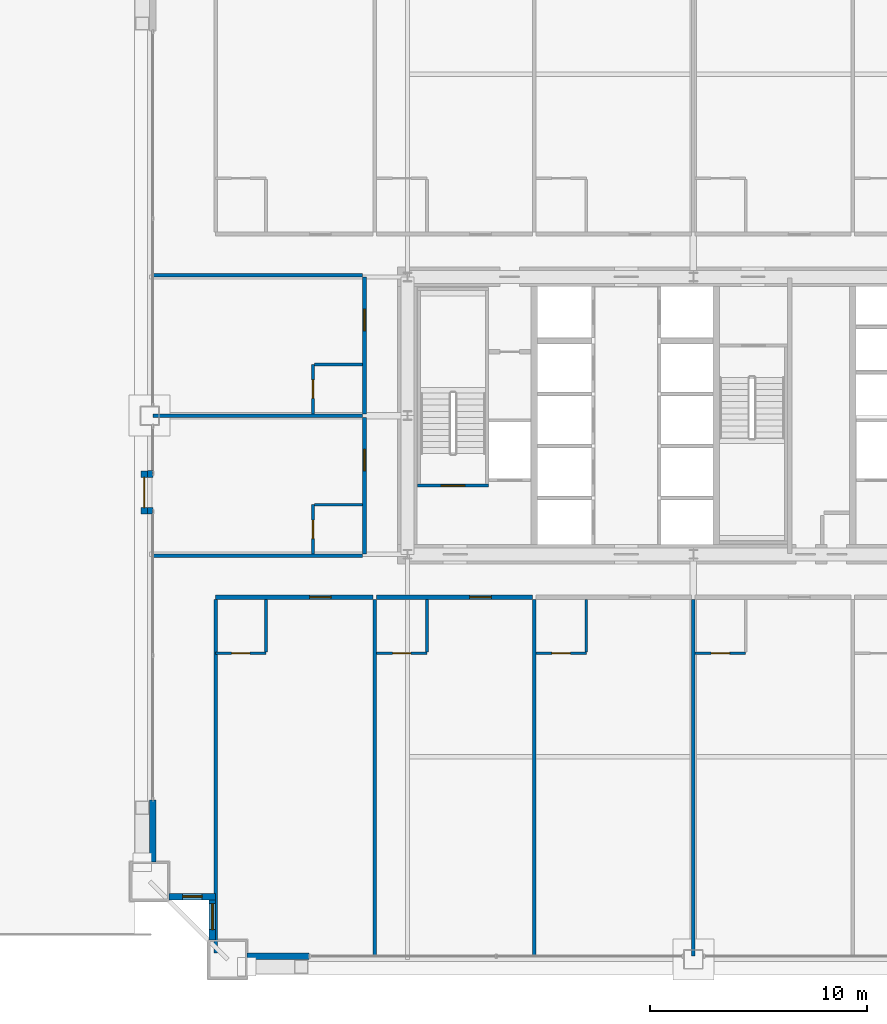
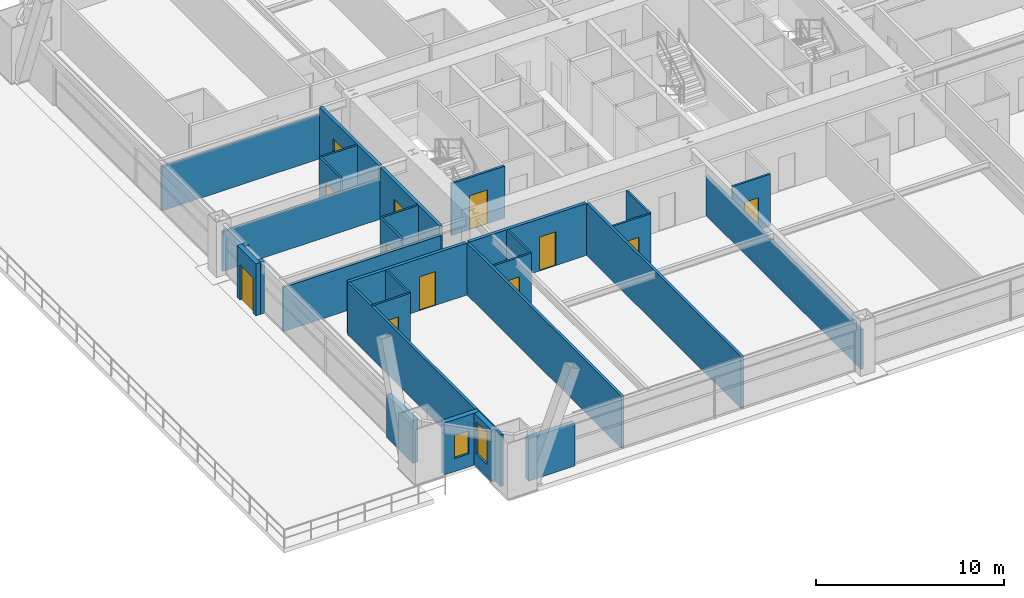
# One storey, part 38 of 45: 30 walls, 12 doors, 2 windows, 14 openings.
"""IFC4 building model written with IfcOpenShell, lengths in metres."""

from ifc_helpers import new_model, si_unit, direction, frame, frame_2d, origin, place, context, subcontext, project, spatial, rectangle, extrude, source, transform, mapped, material, layer, layer_set, type_object, element, fill, save


model = new_model("IFC4")

# Units and contexts
model_context = context("Model", 3, precision=1e-05, world=origin(), true_north=direction((0.0, 1.0)))
body_context = subcontext(model_context, "Body", "Model", "MODEL_VIEW")
ifc_project = project(units=[si_unit("LENGTHUNIT", "METRE"), si_unit("AREAUNIT", "SQUARE_METRE"), si_unit("VOLUMEUNIT", "CUBIC_METRE"), si_unit("PLANEANGLEUNIT", "RADIAN"), si_unit("MASSUNIT", "GRAM", prefix="KILO"), si_unit("THERMODYNAMICTEMPERATUREUNIT", "KELVIN"), si_unit("POWERUNIT", "WATT")], contexts=[model_context])

# Site, building, storey
site_placement = place(None, origin())
site = spatial("IfcSite", under=ifc_project, at=site_placement, CompositionType="ELEMENT")
building_placement = place(site_placement, origin())
building = spatial("IfcBuilding", under=site, at=building_placement, Name="Yuzanri Waterfront Tower", CompositionType="ELEMENT")
storey_placement = place(building_placement, frame((0.0, 0.0, 30.60009765625)))
storey = spatial("IfcBuildingStorey", under=building, at=storey_placement, Name="L07", CompositionType="ELEMENT", Elevation=30.60009765625)

# Wall, opening, door
ifc_material_1 = material(Name="Moisture-Resistant Gypsum Stud Wall", Category="gypsum")
ifc_layer_1 = layer(ifc_material_1, 0.1201171875)
ifc_layer_set_1 = layer_set([ifc_layer_1], Name="Moisture-Resistant Gypsum Stud Wall")
wall_type_1 = type_object("IfcWallType", Name="Bathroom and Kitchen Wet Partition 120", PredefinedType="PARTITIONING", material=ifc_layer_set_1)
wall_1_placement = place(storey_placement, frame((14.93994140625, 14.840087890625, 0.0), z_axis=(0.0, 0.0, 1.0), x_axis=(1.0, 0.0, 0.0)))
wall_1 = element("IfcWall", 1, at=wall_1_placement, inside=storey, type_object=wall_type_1, Name="L07 Partition UW-L07-S1-BS", PredefinedType="PARTITIONING", context=body_context, shape_type="SweptSolid", body=[
    extrude(rectangle(XDim=2.330078125, YDim=0.1201171875, at=frame_2d((1.1650390625, 0.0))), origin(), (0.0, 0.0, 1.0), 3.3798828125),
])
opening_1_placement = place(wall_1_placement, frame((0.739990234375, 0.0, 0.0)))
opening_1 = element("IfcOpeningElement", 2, at=opening_1_placement, cuts=wall_1, Name="Opening ID-0850", PredefinedType="OPENING", context=body_context, shape_type="SweptSolid", body=[
    extrude(rectangle(XDim=0.85009765625, YDim=2.10009765625, at=frame_2d((0.425048828125, 1.050048828125))), frame((0.0, 0.074951171875, 0.0), z_axis=(0.0, -1.0, 0.0), x_axis=(1.0, 0.0, 0.0)), (0.0, 0.0, 1.0), 0.14990234375),
])
ifc_material_2 = material(Name="Moisture-Resistant Lacquered Timber", Category="wood")
door_type_1 = type_object("IfcDoorType", Name="En-Suite Bathroom and Kitchen Swing Door 850x2100", OperationType="NOTDEFINED", PredefinedType="DOOR", material=ifc_material_2)
shared_shape_1 = source(origin(), body_context, "Body", "SweptSolid", [
    extrude(rectangle(XDim=0.85009765625, YDim=2.10009765625, at=frame_2d((0.425048828125, 1.050048828125))), frame((0.0, 0.02490234375, 0.0), z_axis=(0.0, -1.0, 0.0), x_axis=(1.0, 0.0, 0.0)), (0.0, 0.0, 1.0), 0.050048828125),
])
door_1_placement = place(opening_1_placement, origin())
door_1 = element("IfcDoor", 3, at=door_1_placement, inside=storey, type_object=door_type_1, Name="L07 Guest En-Suite Door", OperationType="SINGLE_SWING_LEFT", OverallHeight=2.10009765625, OverallWidth=0.85009765625, PredefinedType="DOOR", context=body_context, shape_type="MappedRepresentation", body=[
    mapped(shared_shape_1, transform((0.0, 0.0, 0.0), scale=1.0)),
])
fill(opening_1, door_1)

wall_2_placement = place(storey_placement, frame((22.373046875, 14.840087890625, 0.0), z_axis=(0.0, 0.0, 1.0), x_axis=(1.0, 0.0, 0.0)))
wall_2 = element("IfcWall", 4, at=wall_2_placement, inside=storey, type_object=wall_type_1, Name="L07 Partition UW-L07-S2-BS", PredefinedType="PARTITIONING", context=body_context, shape_type="SweptSolid", body=[
    extrude(rectangle(XDim=2.329833984375, YDim=0.1201171875, at=frame_2d((1.1650390625, 0.0))), origin(), (0.0, 0.0, 1.0), 3.3798828125),
])
opening_2_placement = place(wall_2_placement, frame((0.739990234375, 0.0, 0.0)))
opening_2 = element("IfcOpeningElement", 5, at=opening_2_placement, cuts=wall_2, Name="Opening ID-0850", PredefinedType="OPENING", context=body_context, shape_type="SweptSolid", body=[
    extrude(rectangle(XDim=0.85009765625, YDim=2.10009765625, at=frame_2d((0.425048828125, 1.050048828125))), frame((0.0, 0.074951171875, 0.0), z_axis=(0.0, -1.0, 0.0), x_axis=(1.0, 0.0, 0.0)), (0.0, 0.0, 1.0), 0.14990234375),
])
door_2_placement = place(opening_2_placement, origin())
door_2 = element("IfcDoor", 6, at=door_2_placement, inside=storey, type_object=door_type_1, Name="L07 Guest En-Suite Door", OperationType="SINGLE_SWING_LEFT", OverallHeight=2.10009765625, OverallWidth=0.85009765625, PredefinedType="DOOR", context=body_context, shape_type="MappedRepresentation", body=[
    mapped(shared_shape_1, transform((0.0, 0.0, 0.0), scale=1.0)),
])
fill(opening_2, door_2)

wall_3_placement = place(storey_placement, frame((29.72705078125, 14.840087890625, 0.0), z_axis=(0.0, 0.0, 1.0), x_axis=(1.0, 0.0, 0.0)))
wall_3 = element("IfcWall", 7, at=wall_3_placement, inside=storey, type_object=wall_type_1, Name="L07 Partition UW-L07-S3-BS", PredefinedType="PARTITIONING", context=body_context, shape_type="SweptSolid", body=[
    extrude(rectangle(XDim=2.329833984375, YDim=0.1201171875, at=frame_2d((1.1650390625, 0.0))), origin(), (0.0, 0.0, 1.0), 3.3798828125),
])
opening_3_placement = place(wall_3_placement, frame((0.739990234375, 0.0, 0.0)))
opening_3 = element("IfcOpeningElement", 8, at=opening_3_placement, cuts=wall_3, Name="Opening ID-0850", PredefinedType="OPENING", context=body_context, shape_type="SweptSolid", body=[
    extrude(rectangle(XDim=0.85009765625, YDim=2.10009765625, at=frame_2d((0.425048828125, 1.050048828125))), frame((0.0, 0.074951171875, 0.0), z_axis=(0.0, -1.0, 0.0), x_axis=(1.0, 0.0, 0.0)), (0.0, 0.0, 1.0), 0.14990234375),
])
door_3_placement = place(opening_3_placement, origin())
door_3 = element("IfcDoor", 9, at=door_3_placement, inside=storey, type_object=door_type_1, Name="L07 Guest En-Suite Door", OperationType="SINGLE_SWING_LEFT", OverallHeight=2.10009765625, OverallWidth=0.85009765625, PredefinedType="DOOR", context=body_context, shape_type="MappedRepresentation", body=[
    mapped(shared_shape_1, transform((0.0, 0.0, 0.0), scale=1.0)),
])
fill(opening_3, door_3)

wall_4_placement = place(storey_placement, frame((37.080078125, 14.840087890625, 0.0), z_axis=(0.0, 0.0, 1.0), x_axis=(1.0, 0.0, 0.0)))
wall_4 = element("IfcWall", 10, at=wall_4_placement, inside=storey, type_object=wall_type_1, Name="L07 Partition UW-L07-S4-BS", PredefinedType="PARTITIONING", context=body_context, shape_type="SweptSolid", body=[
    extrude(rectangle(XDim=2.329833984375, YDim=0.1201171875, at=frame_2d((1.1650390625, 0.0))), origin(), (0.0, 0.0, 1.0), 3.3798828125),
])
opening_4_placement = place(wall_4_placement, frame((0.739990234375, 0.0, 0.0)))
opening_4 = element("IfcOpeningElement", 11, at=opening_4_placement, cuts=wall_4, Name="Opening ID-0850", PredefinedType="OPENING", context=body_context, shape_type="SweptSolid", body=[
    extrude(rectangle(XDim=0.85009765625, YDim=2.10009765625, at=frame_2d((0.425048828125, 1.050048828125))), frame((0.0, 0.074951171875, 0.0), z_axis=(0.0, -1.0, 0.0), x_axis=(1.0, 0.0, 0.0)), (0.0, 0.0, 1.0), 0.14990234375),
])
door_4_placement = place(opening_4_placement, origin())
door_4 = element("IfcDoor", 12, at=door_4_placement, inside=storey, type_object=door_type_1, Name="L07 Guest En-Suite Door", OperationType="SINGLE_SWING_LEFT", OverallHeight=2.10009765625, OverallWidth=0.85009765625, PredefinedType="DOOR", context=body_context, shape_type="MappedRepresentation", body=[
    mapped(shared_shape_1, transform((0.0, 0.0, 0.0), scale=1.0)),
])
fill(opening_4, door_4)

wall_5_placement = place(storey_placement, frame((19.43994140625, 19.409912109375, 0.0), z_axis=(0.0, 0.0, 1.0), x_axis=(0.0, 1.0, 0.0)))
wall_5 = element("IfcWall", 13, at=wall_5_placement, inside=storey, type_object=wall_type_1, Name="L07 Partition UW-L07-W1-BW", PredefinedType="PARTITIONING", context=body_context, shape_type="SweptSolid", body=[
    extrude(rectangle(XDim=2.280029296875, YDim=0.1201171875, at=frame_2d((1.14013671875, 0.0))), origin(), (0.0, 0.0, 1.0), 3.3798828125),
])
opening_5_placement = place(wall_5_placement, frame((0.715087890625, 0.0, 0.0)))
opening_5 = element("IfcOpeningElement", 14, at=opening_5_placement, cuts=wall_5, Name="Opening ID-0850", PredefinedType="OPENING", context=body_context, shape_type="SweptSolid", body=[
    extrude(rectangle(XDim=0.85009765625, YDim=2.10009765625, at=frame_2d((0.425048828125, 1.050048828125))), frame((0.0, 0.074951171875, 0.0), z_axis=(0.0, -1.0, 0.0), x_axis=(1.0, 0.0, 0.0)), (0.0, 0.0, 1.0), 0.14990234375),
])
door_5_placement = place(opening_5_placement, origin())
door_5 = element("IfcDoor", 15, at=door_5_placement, inside=storey, type_object=door_type_1, Name="L07 Guest En-Suite Door", OperationType="SINGLE_SWING_LEFT", OverallHeight=2.10009765625, OverallWidth=0.85009765625, PredefinedType="DOOR", context=body_context, shape_type="MappedRepresentation", body=[
    mapped(shared_shape_1, transform((0.0, 0.0, 0.0), scale=1.0)),
])
fill(opening_5, door_5)

wall_6_placement = place(storey_placement, frame((19.43994140625, 25.8798828125, 0.0), z_axis=(0.0, 0.0, 1.0), x_axis=(0.0, 1.0, 0.0)))
wall_6 = element("IfcWall", 16, at=wall_6_placement, inside=storey, type_object=wall_type_1, Name="L07 Partition UW-L07-W2-BW", PredefinedType="PARTITIONING", context=body_context, shape_type="SweptSolid", body=[
    extrude(rectangle(XDim=2.280029296875, YDim=0.1201171875, at=frame_2d((1.14013671875, 0.0))), origin(), (0.0, 0.0, 1.0), 3.3798828125),
])
opening_6_placement = place(wall_6_placement, frame((0.715087890625, 0.0, 0.0)))
opening_6 = element("IfcOpeningElement", 17, at=opening_6_placement, cuts=wall_6, Name="Opening ID-0850", PredefinedType="OPENING", context=body_context, shape_type="SweptSolid", body=[
    extrude(rectangle(XDim=0.85009765625, YDim=2.10009765625, at=frame_2d((0.425048828125, 1.050048828125))), frame((0.0, 0.074951171875, 0.0), z_axis=(0.0, -1.0, 0.0), x_axis=(1.0, 0.0, 0.0)), (0.0, 0.0, 1.0), 0.14990234375),
])
door_6_placement = place(opening_6_placement, origin())
door_6 = element("IfcDoor", 18, at=door_6_placement, inside=storey, type_object=door_type_1, Name="L07 Guest En-Suite Door", OperationType="SINGLE_SWING_LEFT", OverallHeight=2.10009765625, OverallWidth=0.85009765625, PredefinedType="DOOR", context=body_context, shape_type="MappedRepresentation", body=[
    mapped(shared_shape_1, transform((0.0, 0.0, 0.0), scale=1.0)),
])
fill(opening_6, door_6)

# Wall, opening, window
ifc_material_3 = material(Name="Honed Chongqing Dark Basalt Stone", Category="masonry")
ifc_layer_2 = layer(ifc_material_3, 0.300048828125)
ifc_layer_set_2 = layer_set([ifc_layer_2], Name="Honed Chongqing Dark Basalt Stone")
wall_type_2 = type_object("IfcWallType", Name="Bronze Rainscreen Insulated Spandrel Portal Wall 300", PredefinedType="SOLIDWALL", material=ifc_layer_set_2)
wall_7_placement = place(storey_placement, frame((12.800048828125, 3.60009765625, 0.0), z_axis=(0.0, 0.0, 1.0), x_axis=(1.0, 0.0, 0.0)))
wall_7 = element("IfcWall", 19, at=wall_7_placement, inside=storey, type_object=wall_type_2, Name="L07 Notched Corner Masonry Wall SW-X", PredefinedType="SOLIDWALL", context=body_context, shape_type="SweptSolid", body=[
    extrude(rectangle(XDim=2.14990234375, YDim=0.300048828125, at=frame_2d((1.074951171875, 0.0))), origin(), (0.0, 0.0, 1.0), 3.3798828125),
])
opening_7_placement = place(wall_7_placement, frame((0.625, 0.0, 0.85009765625)))
opening_7 = element("IfcOpeningElement", 20, at=opening_7_placement, cuts=wall_7, Name="Opening WN-05", PredefinedType="OPENING", context=body_context, shape_type="SweptSolid", body=[
    extrude(rectangle(XDim=0.89990234375, YDim=1.5, at=frame_2d((0.449951171875, 0.75))), frame((0.0, 0.1650390625, 0.0), z_axis=(0.0, -1.0, 0.0), x_axis=(1.0, 0.0, 0.0)), (0.0, 0.0, 1.0), 0.329833984375),
])
ifc_material_4 = material(Name="Double-Silver Low-E Insulated Glass", Category="glass")
window_type_1 = type_object("IfcWindowType", Name="Anodized Bronze Service and Stairwell Smoke-Vent Window 900x1500", PartitioningType="SINGLE_PANEL", PredefinedType="WINDOW", material=ifc_material_4)
shared_shape_2 = source(origin(), body_context, "Body", "SweptSolid", [
    extrude(rectangle(XDim=0.89990234375, YDim=1.5, at=frame_2d((0.449951171875, 0.75))), frame((0.0, 0.030029296875, 0.0), z_axis=(0.0, -1.0, 0.0), x_axis=(1.0, 0.0, 0.0)), (0.0, 0.0, 1.0), 0.06005859375),
])
window_1_placement = place(opening_7_placement, origin())
window_1 = element("IfcWindow", 21, at=window_1_placement, inside=storey, type_object=window_type_1, Name="L07 Notched Corner Window SW-X", OverallHeight=1.5, OverallWidth=0.89990234375, PartitioningType="SINGLE_PANEL", PredefinedType="WINDOW", context=body_context, shape_type="MappedRepresentation", body=[
    mapped(shared_shape_2, transform((0.0, 0.0, 0.0), scale=1.0)),
])
fill(opening_7, window_1)

wall_8_placement = place(storey_placement, frame((14.800048828125, 3.75, 0.0), z_axis=(0.0, 0.0, 1.0), x_axis=(0.0, -1.0, 0.0)))
wall_8 = element("IfcWall", 22, at=wall_8_placement, inside=storey, type_object=wall_type_2, Name="L07 Notched Corner Masonry Wall SW-Y", PredefinedType="SOLIDWALL", context=body_context, shape_type="SweptSolid", body=[
    extrude(rectangle(XDim=2.14990234375, YDim=0.300048828125, at=frame_2d((1.074951171875, 0.0))), origin(), (0.0, 0.0, 1.0), 3.3798828125),
])
opening_8_placement = place(wall_8_placement, frame((0.47509765625, 0.0, 0.85009765625)))
opening_8 = element("IfcOpeningElement", 23, at=opening_8_placement, cuts=wall_8, Name="Opening WN-02", PredefinedType="OPENING", context=body_context, shape_type="SweptSolid", body=[
    extrude(rectangle(XDim=1.199951171875, YDim=2.10009765625, at=frame_2d((0.60009765625, 1.050048828125))), frame((0.0, 0.1650390625, 0.0), z_axis=(0.0, -1.0, 0.0), x_axis=(1.0, 0.0, 0.0)), (0.0, 0.0, 1.0), 0.329833984375),
])
ifc_material_5 = material(Name="Double-Silver Low-E Insulated Glass", Category="glass")
window_type_2 = type_object("IfcWindowType", Name="Anodized Bronze Notched Corner Deep-Set Slot Window 1200x2100", PartitioningType="SINGLE_PANEL", PredefinedType="WINDOW", material=ifc_material_5)
shared_shape_3 = source(origin(), body_context, "Body", "SweptSolid", [
    extrude(rectangle(XDim=1.199951171875, YDim=2.10009765625, at=frame_2d((0.60009765625, 1.050048828125))), frame((0.0, 0.030029296875, 0.0), z_axis=(0.0, -1.0, 0.0), x_axis=(1.0, 0.0, 0.0)), (0.0, 0.0, 1.0), 0.06005859375),
])
window_2_placement = place(opening_8_placement, origin())
window_2 = element("IfcWindow", 24, at=window_2_placement, inside=storey, type_object=window_type_2, Name="L07 Notched Corner Window SW-Y", OverallHeight=2.10009765625, OverallWidth=1.199951171875, PartitioningType="SINGLE_PANEL", PredefinedType="WINDOW", context=body_context, shape_type="MappedRepresentation", body=[
    mapped(shared_shape_3, transform((0.0, 0.0, 0.0), scale=1.0)),
])
fill(opening_8, window_2)

# Wall, opening, door
wall_9_placement = place(storey_placement, frame((11.64990234375, 21.2548828125, 0.0), z_axis=(0.0, 0.0, 1.0), x_axis=(0.0, 1.0, 0.0)))
wall_9 = element("IfcWall", 25, at=wall_9_placement, inside=storey, type_object=wall_type_2, Name="L07 W Terrace Door Portal Wall", PredefinedType="SOLIDWALL", context=body_context, shape_type="SweptSolid", body=[
    extrude(rectangle(XDim=2.0, YDim=0.300048828125, at=frame_2d((1.0, 0.0))), origin(), (0.0, 0.0, 1.0), 3.3798828125),
])
opening_9_placement = place(wall_9_placement, frame((0.300048828125, 0.0, 0.0)))
opening_9 = element("IfcOpeningElement", 26, at=opening_9_placement, cuts=wall_9, Name="Opening TD-1400", PredefinedType="OPENING", context=body_context, shape_type="SweptSolid", body=[
    extrude(rectangle(XDim=1.39990234375, YDim=2.300048828125, at=frame_2d((0.699951171875, 1.14990234375))), frame((0.0, 0.1650390625, 0.0), z_axis=(0.0, -1.0, 0.0), x_axis=(1.0, 0.0, 0.0)), (0.0, 0.0, 1.0), 0.329833984375),
])
ifc_material_6 = material(Name="Anodized Architectural Bronze", Category="metal")
door_type_2 = type_object("IfcDoorType", Name="Anodized Bronze Balcony and Terrace Glazed Double Door 1400x2300", OperationType="NOTDEFINED", PredefinedType="DOOR", material=ifc_material_6)
shared_shape_4 = source(origin(), body_context, "Body", "SweptSolid", [
    extrude(rectangle(XDim=1.39990234375, YDim=2.300048828125, at=frame_2d((0.699951171875, 1.14990234375))), frame((0.0, 0.02490234375, 0.0), z_axis=(0.0, -1.0, 0.0), x_axis=(1.0, 0.0, 0.0)), (0.0, 0.0, 1.0), 0.050048828125),
])
door_7_placement = place(opening_9_placement, origin())
door_7 = element("IfcDoor", 27, at=door_7_placement, inside=storey, type_object=door_type_2, Name="L07 W Terrace Glazed Double Door", OperationType="DOUBLE_DOOR_SINGLE_SWING", OverallHeight=2.300048828125, OverallWidth=1.39990234375, PredefinedType="DOOR", context=body_context, shape_type="MappedRepresentation", body=[
    mapped(shared_shape_4, transform((0.0, 0.0, 0.0), scale=1.0)),
])
fill(opening_9, door_7)

ifc_material_7 = material(Name="Concrete C40", Category="concrete")
ifc_layer_3 = layer(ifc_material_7, 0.139892578125)
ifc_layer_set_3 = layer_set([ifc_layer_3], Name="Concrete C40")
wall_type_3 = type_object("IfcWallType", Name="Core Stair Liner and Hoistway Shaft Wall 140", PredefinedType="SOLIDWALL", material=ifc_layer_set_3)
wall_10_placement = place(storey_placement, frame((24.260009765625, 22.570068359375, 0.0), z_axis=(0.0, 0.0, 1.0), x_axis=(1.0, 0.0, 0.0)))
wall_10 = element("IfcWall", 28, at=wall_10_placement, inside=storey, type_object=wall_type_3, Name="L07 Shaft Wall STW-L07-ST-01-S", PredefinedType="SOLIDWALL", context=body_context, shape_type="SweptSolid", body=[
    extrude(rectangle(XDim=3.280029296875, YDim=0.139892578125, at=frame_2d((1.64013671875, 0.0))), origin(), (0.0, 0.0, 1.0), 3.3798828125),
])
opening_10_placement = place(wall_10_placement, frame((1.090087890625, 0.0, 0.0)))
opening_10 = element("IfcOpeningElement", 29, at=opening_10_placement, cuts=wall_10, Name="Opening FD-1100", PredefinedType="OPENING", context=body_context, shape_type="SweptSolid", body=[
    extrude(rectangle(XDim=1.10009765625, YDim=2.199951171875, at=frame_2d((0.550048828125, 1.10009765625))), frame((0.0, 0.0849609375, 0.0), z_axis=(0.0, -1.0, 0.0), x_axis=(1.0, 0.0, 0.0)), (0.0, 0.0, 1.0), 0.169677734375),
])
ifc_material_8 = material(Name="Painted Galvanized Fire Steel", Category="steel")
door_type_3 = type_object("IfcDoorType", Name="Smoke-Proof Stair and Lobby Fire Door 1100x2200", OperationType="NOTDEFINED", PredefinedType="DOOR", material=ifc_material_8)
shared_shape_5 = source(origin(), body_context, "Body", "SweptSolid", [
    extrude(rectangle(XDim=1.10009765625, YDim=2.199951171875, at=frame_2d((0.550048828125, 1.10009765625))), frame((0.0, 0.02490234375, 0.0), z_axis=(0.0, -1.0, 0.0), x_axis=(1.0, 0.0, 0.0)), (0.0, 0.0, 1.0), 0.050048828125),
])
door_8_placement = place(opening_10_placement, origin())
door_8 = element("IfcDoor", 30, at=door_8_placement, inside=storey, type_object=door_type_3, Name="L07 Stair ST-01 Fire Door", OperationType="SINGLE_SWING_RIGHT", OverallHeight=2.199951171875, OverallWidth=1.10009765625, PredefinedType="DOOR", context=body_context, shape_type="MappedRepresentation", body=[
    mapped(shared_shape_5, transform((0.0, 0.0, 0.0), scale=1.0)),
])
fill(opening_10, door_8)

ifc_material_9 = material(Name="Autoclaved Aerated Concrete Blockwork", Category="masonry")
ifc_layer_4 = layer(ifc_material_9, 0.199951171875)
ifc_layer_set_4 = layer_set([ifc_layer_4], Name="Autoclaved Aerated Concrete Blockwork")
wall_type_4 = type_object("IfcWallType", Name="Corridor and Unit Party Fire Wall 200", PredefinedType="PARTITIONING", material=ifc_layer_set_4)
wall_11_placement = place(storey_placement, frame((14.93994140625, 17.419921875, 0.0), z_axis=(0.0, 0.0, 1.0), x_axis=(1.0, 0.0, 0.0)))
wall_11 = element("IfcWall", 31, at=wall_11_placement, inside=storey, type_object=wall_type_4, Name="L07 Partition UW-L07-S1-CN", PredefinedType="PARTITIONING", context=body_context, shape_type="SweptSolid", body=[
    extrude(rectangle(XDim=7.27294921875, YDim=0.199951171875, at=frame_2d((3.636474609375, 0.0))), origin(), (0.0, 0.0, 1.0), 3.3798828125),
])
opening_11_placement = place(wall_11_placement, frame((4.342041015625, 0.0, 0.0)))
opening_11 = element("IfcOpeningElement", 32, at=opening_11_placement, cuts=wall_11, Name="Opening FD-1000", PredefinedType="OPENING", context=body_context, shape_type="SweptSolid", body=[
    extrude(rectangle(XDim=1.0, YDim=2.199951171875, at=frame_2d((0.5, 1.10009765625))), frame((0.0, 0.11474609375, 0.0), z_axis=(0.0, -1.0, 0.0), x_axis=(1.0, 0.0, 0.0)), (0.0, 0.0, 1.0), 0.229736328125),
])
ifc_material_10 = material(Name="Engineered Oak Fire-Rated Timber", Category="wood")
door_type_4 = type_object("IfcDoorType", Name="Guestroom and Apartment Entrance Fire Door 1000x2200", OperationType="NOTDEFINED", PredefinedType="DOOR", material=ifc_material_10)
shared_shape_6 = source(origin(), body_context, "Body", "SweptSolid", [
    extrude(rectangle(XDim=1.0, YDim=2.199951171875, at=frame_2d((0.5, 1.10009765625))), frame((0.0, 0.02490234375, 0.0), z_axis=(0.0, -1.0, 0.0), x_axis=(1.0, 0.0, 0.0)), (0.0, 0.0, 1.0), 0.050048828125),
])
door_9_placement = place(opening_11_placement, origin())
door_9 = element("IfcDoor", 33, at=door_9_placement, inside=storey, type_object=door_type_4, Name="L07 Premier King Junior Suite Entrance Door", OperationType="SINGLE_SWING_RIGHT", OverallHeight=2.199951171875, OverallWidth=1.0, PredefinedType="DOOR", context=body_context, shape_type="MappedRepresentation", body=[
    mapped(shared_shape_6, transform((0.0, 0.0, 0.0), scale=1.0)),
])
fill(opening_11, door_9)

wall_12_placement = place(storey_placement, frame((22.373046875, 17.419921875, 0.0), z_axis=(0.0, 0.0, 1.0), x_axis=(1.0, 0.0, 0.0)))
wall_12 = element("IfcWall", 34, at=wall_12_placement, inside=storey, type_object=wall_type_4, Name="L07 Partition UW-L07-S2-CN", PredefinedType="PARTITIONING", context=body_context, shape_type="SweptSolid", body=[
    extrude(rectangle(XDim=7.19384765625, YDim=0.199951171875, at=frame_2d((3.596923828125, 0.0))), origin(), (0.0, 0.0, 1.0), 3.3798828125),
])
opening_12_placement = place(wall_12_placement, frame((4.302001953125, 0.0, 0.0)))
opening_12 = element("IfcOpeningElement", 35, at=opening_12_placement, cuts=wall_12, Name="Opening FD-1000", PredefinedType="OPENING", context=body_context, shape_type="SweptSolid", body=[
    extrude(rectangle(XDim=1.0, YDim=2.199951171875, at=frame_2d((0.5, 1.10009765625))), frame((0.0, 0.11474609375, 0.0), z_axis=(0.0, -1.0, 0.0), x_axis=(1.0, 0.0, 0.0)), (0.0, 0.0, 1.0), 0.229736328125),
])
door_10_placement = place(opening_12_placement, origin())
door_10 = element("IfcDoor", 36, at=door_10_placement, inside=storey, type_object=door_type_4, Name="L07 Premier King Junior Suite Entrance Door", OperationType="SINGLE_SWING_RIGHT", OverallHeight=2.199951171875, OverallWidth=1.0, PredefinedType="DOOR", context=body_context, shape_type="MappedRepresentation", body=[
    mapped(shared_shape_6, transform((0.0, 0.0, 0.0), scale=1.0)),
])
fill(opening_12, door_10)

wall_13_placement = place(storey_placement, frame((21.820068359375, 19.409912109375, 0.0), z_axis=(0.0, 0.0, 1.0), x_axis=(0.0, 1.0, 0.0)))
wall_13 = element("IfcWall", 37, at=wall_13_placement, inside=storey, type_object=wall_type_4, Name="L07 Partition UW-L07-W1-CW", PredefinedType="PARTITIONING", context=body_context, shape_type="SweptSolid", body=[
    extrude(rectangle(XDim=6.31005859375, YDim=0.199951171875, at=frame_2d((3.155029296875, 0.0))), origin(), (0.0, 0.0, 1.0), 3.3798828125),
])
opening_13_placement = place(wall_13_placement, frame((3.8349609375, 0.0, 0.0)))
opening_13 = element("IfcOpeningElement", 38, at=opening_13_placement, cuts=wall_13, Name="Opening FD-1000", PredefinedType="OPENING", context=body_context, shape_type="SweptSolid", body=[
    extrude(rectangle(XDim=1.0, YDim=2.199951171875, at=frame_2d((0.5, 1.10009765625))), frame((0.0, 0.11474609375, 0.0), z_axis=(0.0, -1.0, 0.0), x_axis=(1.0, 0.0, 0.0)), (0.0, 0.0, 1.0), 0.229736328125),
])
door_11_placement = place(opening_13_placement, origin())
door_11 = element("IfcDoor", 39, at=door_11_placement, inside=storey, type_object=door_type_4, Name="L07 West Guest Room Entrance Door", OperationType="SINGLE_SWING_RIGHT", OverallHeight=2.199951171875, OverallWidth=1.0, PredefinedType="DOOR", context=body_context, shape_type="MappedRepresentation", body=[
    mapped(shared_shape_6, transform((0.0, 0.0, 0.0), scale=1.0)),
])
fill(opening_13, door_11)

wall_14_placement = place(storey_placement, frame((21.820068359375, 25.8798828125, 0.0), z_axis=(0.0, 0.0, 1.0), x_axis=(0.0, 1.0, 0.0)))
wall_14 = element("IfcWall", 40, at=wall_14_placement, inside=storey, type_object=wall_type_4, Name="L07 Partition UW-L07-W2-CW", PredefinedType="PARTITIONING", context=body_context, shape_type="SweptSolid", body=[
    extrude(rectangle(XDim=6.31005859375, YDim=0.199951171875, at=frame_2d((3.155029296875, 0.0))), origin(), (0.0, 0.0, 1.0), 3.3798828125),
])
opening_14_placement = place(wall_14_placement, frame((3.8349609375, 0.0, 0.0)))
opening_14 = element("IfcOpeningElement", 41, at=opening_14_placement, cuts=wall_14, Name="Opening FD-1000", PredefinedType="OPENING", context=body_context, shape_type="SweptSolid", body=[
    extrude(rectangle(XDim=1.0, YDim=2.199951171875, at=frame_2d((0.5, 1.10009765625))), frame((0.0, 0.11474609375, 0.0), z_axis=(0.0, -1.0, 0.0), x_axis=(1.0, 0.0, 0.0)), (0.0, 0.0, 1.0), 0.229736328125),
])
door_12_placement = place(opening_14_placement, origin())
door_12 = element("IfcDoor", 42, at=door_12_placement, inside=storey, type_object=door_type_4, Name="L07 West Guest Room Entrance Door", OperationType="SINGLE_SWING_RIGHT", OverallHeight=2.199951171875, OverallWidth=1.0, PredefinedType="DOOR", context=body_context, shape_type="MappedRepresentation", body=[
    mapped(shared_shape_6, transform((0.0, 0.0, 0.0), scale=1.0)),
])
fill(opening_14, door_12)

# Walls
shared_shape_7 = source(origin(), body_context, "Body", "SweptSolid", [
    extrude(rectangle(XDim=2.85009765625, YDim=0.300048828125, at=frame_2d((1.425048828125, 0.0))), origin(), (0.0, 0.0, 1.0), 2.77490234375),
])
for number, where, z_axis, x_axis, name in (
    (43, (16.39990234375, 0.85009765625, 0.0), (0.0, 0.0, 1.0), (1.0, 0.0, 0.0), "L07 S Left Braced Masonry Shoulder"),
    (44, (12.050048828125, 5.199951171875, 0.0), (0.0, 0.0, 1.0), (0.0, 1.0, 0.0), "L07 W Left Braced Masonry Shoulder"),
):
    element("IfcWall", number, at=place(storey_placement, frame(where, z_axis=z_axis, x_axis=x_axis)), inside=storey, type_object=wall_type_2, Name=name, PredefinedType="SOLIDWALL", context=body_context, shape_type="MappedRepresentation", body=[
        mapped(shared_shape_7, transform((0.0, 0.0, 0.0), scale=1.0)),
    ])
shared_shape_8 = source(origin(), body_context, "Body", "SweptSolid", [
    extrude(rectangle(XDim=0.25, YDim=0.300048828125, at=frame_2d((0.125, 0.0))), origin(), (0.0, 0.0, 1.0), 3.3798828125),
])
for number, where, z_axis, x_axis, name in (
    (45, (12.050048828125, 21.405029296875, 0.0), (0.0, 0.0, 1.0), (-1.0, 0.0, 0.0), "L07 W Terrace Portal Left Return"),
    (46, (11.800048828125, 23.10498046875, 0.0), (0.0, 0.0, 1.0), (1.0, 0.0, 0.0), "L07 W Terrace Portal Right Return"),
):
    element("IfcWall", number, at=place(storey_placement, frame(where, z_axis=z_axis, x_axis=x_axis)), inside=storey, type_object=wall_type_2, Name=name, PredefinedType="SOLIDWALL", context=body_context, shape_type="MappedRepresentation", body=[
        mapped(shared_shape_8, transform((0.0, 0.0, 0.0), scale=1.0)),
    ])
ifc_material_11 = material(Name="Gypsum Fireboard Acoustic Stud Wall", Category="gypsum")
ifc_layer_5 = layer(ifc_material_11, 0.159912109375)
ifc_layer_set_5 = layer_set([ifc_layer_5], Name="Gypsum Fireboard Acoustic Stud Wall")
wall_type_5 = type_object("IfcWallType", Name="Acoustic Suite Demising Partition 160", PredefinedType="PARTITIONING", material=ifc_layer_set_5)
shared_shape_9 = source(origin(), body_context, "Body", "SweptSolid", [
    extrude(rectangle(XDim=16.469970703125, YDim=0.159912109375, at=frame_2d((8.23486328125, 0.0))), origin(), (0.0, 0.0, 1.0), 3.3798828125),
])
for number, where, z_axis, x_axis, name in (
    (47, (22.29296875, 0.85009765625, 0.0), (0.0, 0.0, 1.0), (0.0, 1.0, 0.0), "L07-S1 Party Wall"),
    (48, (29.64697265625, 0.85009765625, 0.0), (0.0, 0.0, 1.0), (0.0, 1.0, 0.0), "L07-S2 Party Wall"),
):
    element("IfcWall", number, at=place(storey_placement, frame(where, z_axis=z_axis, x_axis=x_axis)), inside=storey, type_object=wall_type_5, Name=name, PredefinedType="PARTITIONING", context=body_context, shape_type="MappedRepresentation", body=[
        mapped(shared_shape_9, transform((0.0, 0.0, 0.0), scale=1.0)),
    ])
shared_shape_10 = source(origin(), body_context, "Body", "SweptSolid", [
    extrude(rectangle(XDim=2.420166015625, YDim=0.1201171875, at=frame_2d((1.2099609375, 0.0))), origin(), (0.0, 0.0, 1.0), 3.3798828125),
])
for number, where, z_axis, x_axis, name in (
    (49, (17.27001953125, 14.89990234375, 0.0), (0.0, 0.0, 1.0), (0.0, 1.0, 0.0), "L07-S1 En-Suite Side Wall"),
    (50, (24.702880859375, 14.89990234375, 0.0), (0.0, 0.0, 1.0), (0.0, 1.0, 0.0), "L07-S2 En-Suite Side Wall"),
    (51, (32.056884765625, 14.89990234375, 0.0), (0.0, 0.0, 1.0), (0.0, 1.0, 0.0), "L07-S3 En-Suite Side Wall"),
):
    element("IfcWall", number, at=place(storey_placement, frame(where, z_axis=z_axis, x_axis=x_axis)), inside=storey, type_object=wall_type_1, Name=name, PredefinedType="PARTITIONING", context=body_context, shape_type="MappedRepresentation", body=[
        mapped(shared_shape_10, transform((0.0, 0.0, 0.0), scale=1.0)),
    ])
shared_shape_11 = source(origin(), body_context, "Body", "SweptSolid", [
    extrude(rectangle(XDim=16.469970703125, YDim=0.159912109375, at=frame_2d((8.23486328125, 0.0))), origin(), (0.0, 0.0, 1.0), 2.574951171875),
])
wall_15_placement = place(storey_placement, frame((37.0, 0.85009765625, 0.0), z_axis=(0.0, 0.0, 1.0), x_axis=(0.0, 1.0, 0.0)))
element("IfcWall", 52, at=wall_15_placement, inside=storey, type_object=wall_type_5, Name="L07-S3 Party Wall", PredefinedType="PARTITIONING", context=body_context, shape_type="MappedRepresentation", body=[
    mapped(shared_shape_11, transform((0.0, 0.0, 0.0), scale=1.0)),
])
shared_shape_12 = source(origin(), body_context, "Body", "SweptSolid", [
    extrude(rectangle(XDim=16.320068359375, YDim=0.159912109375, at=frame_2d((8.16015625, 0.0))), origin(), (0.0, 0.0, 1.0), 3.3798828125),
])
wall_16_placement = place(storey_placement, frame((14.949951171875, 1.0, 0.0), z_axis=(0.0, 0.0, 1.0), x_axis=(0.0, 1.0, 0.0)))
element("IfcWall", 53, at=wall_16_placement, inside=storey, type_object=wall_type_5, Name="L07 South Band West End Wall", PredefinedType="PARTITIONING", context=body_context, shape_type="MappedRepresentation", body=[
    mapped(shared_shape_12, transform((0.0, 0.0, 0.0), scale=1.0)),
])
shared_shape_13 = source(origin(), body_context, "Body", "SweptSolid", [
    extrude(rectangle(XDim=9.669921875, YDim=0.159912109375, at=frame_2d((4.8349609375, 0.0))), origin(), (0.0, 0.0, 1.0), 2.574951171875),
])
wall_17_placement = place(storey_placement, frame((12.050048828125, 25.800048828125, 0.0), z_axis=(0.0, 0.0, 1.0), x_axis=(1.0, 0.0, 0.0)))
element("IfcWall", 54, at=wall_17_placement, inside=storey, type_object=wall_type_5, Name="L07-W1 Wing Party Wall", PredefinedType="PARTITIONING", context=body_context, shape_type="MappedRepresentation", body=[
    mapped(shared_shape_13, transform((0.0, 0.0, 0.0), scale=1.0)),
])
shared_shape_14 = source(origin(), body_context, "Body", "SweptSolid", [
    extrude(rectangle(XDim=9.669921875, YDim=0.159912109375, at=frame_2d((4.8349609375, 0.0))), origin(), (0.0, 0.0, 1.0), 2.875),
])
for number, where, z_axis, x_axis, name in (
    (55, (12.050048828125, 19.330078125, 0.0), (0.0, 0.0, 1.0), (1.0, 0.0, 0.0), "L07-W1 Wing South End Wall"),
    (56, (12.050048828125, 32.27001953125, 0.0), (0.0, 0.0, 1.0), (1.0, 0.0, 0.0), "L07-W2 Wing North End Wall"),
):
    element("IfcWall", number, at=place(storey_placement, frame(where, z_axis=z_axis, x_axis=x_axis)), inside=storey, type_object=wall_type_5, Name=name, PredefinedType="PARTITIONING", context=body_context, shape_type="MappedRepresentation", body=[
        mapped(shared_shape_14, transform((0.0, 0.0, 0.0), scale=1.0)),
    ])
shared_shape_15 = source(origin(), body_context, "Body", "SweptSolid", [
    extrude(rectangle(XDim=2.219970703125, YDim=0.1201171875, at=frame_2d((1.10986328125, 0.0))), origin(), (0.0, 0.0, 1.0), 3.3798828125),
])
for number, where, z_axis, x_axis, name in (
    (57, (19.5, 21.68994140625, 0.0), (0.0, 0.0, 1.0), (1.0, 0.0, 0.0), "L07-W1 En-Suite Top Wall"),
    (58, (19.5, 28.159912109375, 0.0), (0.0, 0.0, 1.0), (1.0, 0.0, 0.0), "L07-W2 En-Suite Top Wall"),
):
    element("IfcWall", number, at=place(storey_placement, frame(where, z_axis=z_axis, x_axis=x_axis)), inside=storey, type_object=wall_type_1, Name=name, PredefinedType="PARTITIONING", context=body_context, shape_type="MappedRepresentation", body=[
        mapped(shared_shape_15, transform((0.0, 0.0, 0.0), scale=1.0)),
    ])

save(model, "model.ifc")
